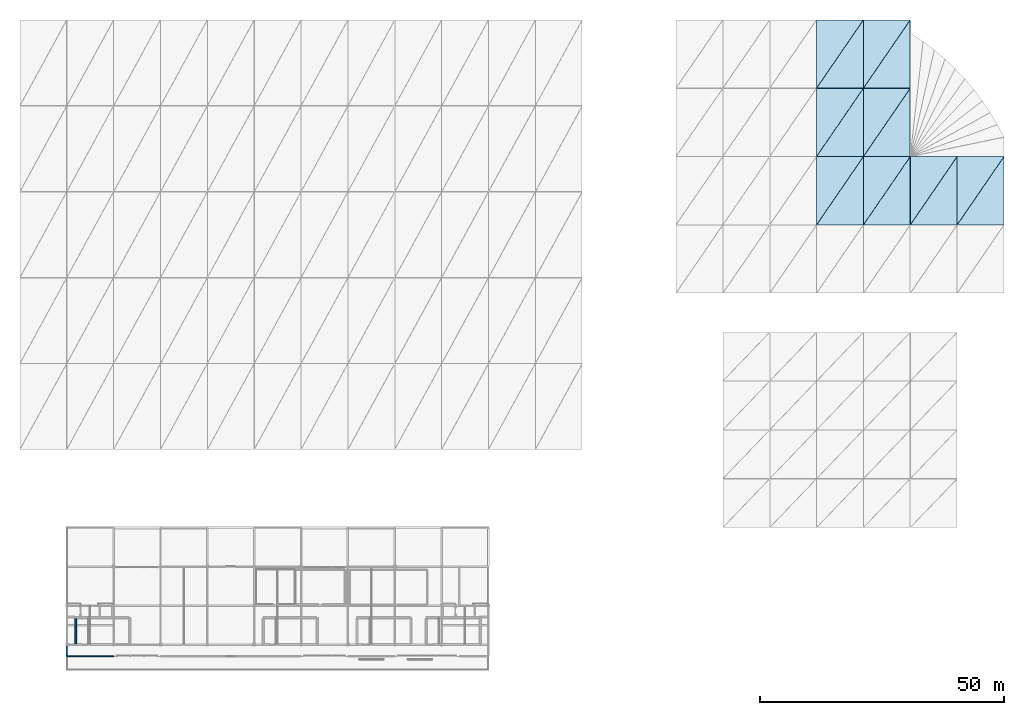
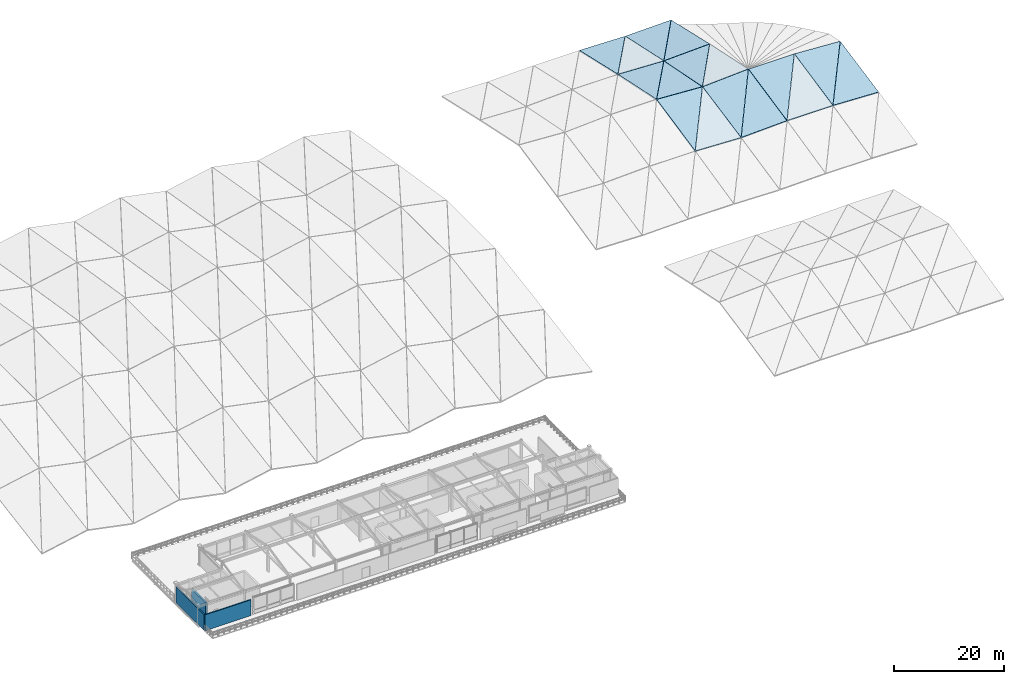
# One storey, part 19 of 26: 16 slabs, 3 walls.
"""IFC4 building model written with IfcOpenShell, lengths in metres."""

from ifc_helpers import new_model, si_unit, direction, frame, frame_2d, origin, place, context, subcontext, project, spatial, polyline, rectangle, outline, extrude, material, layer, layer_set, type_object, element, save


model = new_model("IFC4")

# Units and contexts
model_context = context("Model", 3, precision=1e-05, world=origin(), true_north=direction((0.0, 1.0)))
body_context = subcontext(model_context, "Body", "Model", "MODEL_VIEW")
ifc_project = project(units=[si_unit("LENGTHUNIT", "METRE"), si_unit("AREAUNIT", "SQUARE_METRE"), si_unit("VOLUMEUNIT", "CUBIC_METRE"), si_unit("PLANEANGLEUNIT", "RADIAN"), si_unit("MASSUNIT", "GRAM", prefix="KILO")], contexts=[model_context])

# Site, building, storey
site_placement = place(None, origin())
site = spatial("IfcSite", under=ifc_project, at=site_placement, CompositionType="ELEMENT")
building_placement = place(site_placement, origin())
building = spatial("IfcBuilding", under=site, at=building_placement, Name="Danafjord Basin Convention Centre", CompositionType="ELEMENT")
storey_placement = place(building_placement, frame((0.0, 0.0, 29.39990234375)))
storey = spatial("IfcBuildingStorey", under=building, at=storey_placement, Name="RF", CompositionType="ELEMENT", Elevation=29.39990234375)

# Slabs
ifc_material_1 = material(Name="Concrete C35/45", Category="concrete")
ifc_layer_1 = layer(ifc_material_1, 0.27490234375)
ifc_layer_set_1 = layer_set([ifc_layer_1], Name="Concrete C35/45")
slab_type_1 = type_object("IfcSlabType", Name="SLAB-RF-W145", PredefinedType="ROOF", material=ifc_layer_set_1)
slab_1_placement = place(storey_placement, frame((163.23193359375, 116.023193359375, 1.55615234375), z_axis=(0.057386865014, 0.194710346981, 0.979180590342), x_axis=(0.998287019617, 0.0, -0.058506636063)))
element("IfcSlab", 1, at=slab_1_placement, inside=storey, type_object=slab_type_1, Name="V2 wave-crested roof deck facet A 4-3", PredefinedType="ROOF", context=body_context, shape_type="SweptSolid", body=[
    extrude(outline(polyline([(0.0, 0.0), (9.568392421636535, 0.0), (9.730456946240038, 14.20199072629945), (0.0, 0.0)])), origin(), (0.0, 0.0, -1.0), 0.27490234375),
])
slab_2_placement = place(storey_placement, frame((163.216064453125, 116.046630859375, 1.552001953125), z_axis=(0.040082087708, 0.206202431982, 0.977688080775), x_axis=(0.554845883553, 0.809160291982, -0.193405448176)))
element("IfcSlab", 2, at=slab_2_placement, inside=storey, type_object=slab_type_1, Name="V2 wave-crested roof deck facet B 4-3", PredefinedType="ROOF", context=body_context, shape_type="SweptSolid", body=[
    extrude(outline(polyline([(0.0, 0.0), (17.21559488186891, -8.326672684688674e-16), (11.839968042783239, 7.905487283093815), (0.0, 0.0)])), origin(), (0.0, 0.0, -1.0), 0.27490234375),
])
slab_3_placement = place(storey_placement, frame((172.83203125, 102.023193359375, -1.777587890625), z_axis=(-0.040082087708, -0.206202431982, 0.977688080775), x_axis=(0.999160688834, 0.0, 0.040962396036)))
element("IfcSlab", 3, at=slab_3_placement, inside=storey, type_object=slab_type_1, Name="V2 wave-crested roof deck facet A 5-2", PredefinedType="ROOF", context=body_context, shape_type="SweptSolid", body=[
    extrude(outline(polyline([(0.0, 0.0), (9.560025789518367, -1.3877787807814457e-17), (9.680372829042636, 14.236119170172895), (0.0, 0.0)])), origin(), (0.0, 0.0, -1.0), 0.27490234375),
])
slab_4_placement = place(storey_placement, frame((172.81591796875, 102.046630859375, -1.773681640625), z_axis=(-0.057386865014, -0.194710346981, 0.979180590342), x_axis=(0.554844361698, 0.809158072582, 0.193419099021)))
element("IfcSlab", 4, at=slab_4_placement, inside=storey, type_object=slab_type_1, Name="V2 wave-crested roof deck facet B 5-2", PredefinedType="ROOF", context=body_context, shape_type="SweptSolid", body=[
    extrude(outline(polyline([(0.0, 0.0), (17.21564210166227, -7.216449660063518e-16), (11.807488867896224, 7.893415745704598), (0.0, 0.0)])), origin(), (0.0, 0.0, -1.0), 0.27490234375),
])
slab_5_placement = place(storey_placement, frame((172.83203125, 130.023193359375, -1.787841796875), z_axis=(-0.03994372084, 0.22162726763, 0.974313016134), x_axis=(0.999160688834, 0.0, 0.040962396036)))
element("IfcSlab", 5, at=slab_5_placement, inside=storey, type_object=slab_type_1, Name="V2 wave-crested roof deck facet A 5-4", PredefinedType="ROOF", context=body_context, shape_type="SweptSolid", body=[
    extrude(outline(polyline([(0.0, 0.0), (9.560025789518367, 0.0), (9.430228197197819, 14.285433735039122), (0.0, 0.0)])), origin(), (0.0, 0.0, -1.0), 0.27490234375),
])
slab_6_placement = place(storey_placement, frame((172.81591796875, 130.046630859375, -1.793701171875), z_axis=(-0.022906125536, 0.210526769045, 0.977319696378), x_axis=(0.558032517497, 0.813807524175, -0.162225223106)))
element("IfcSlab", 6, at=slab_6_placement, inside=storey, type_object=slab_type_1, Name="V2 wave-crested roof deck facet B 5-4", PredefinedType="ROOF", context=body_context, shape_type="SweptSolid", body=[
    extrude(outline(polyline([(0.0, 0.0), (17.11728555885409, 3.3306690738754696e-16), (11.823276350482963, 7.953887647202851), (0.0, 0.0)])), origin(), (0.0, 0.0, -1.0), 0.27490234375),
])
slab_7_placement = place(storey_placement, frame((192.031982421875, 102.023193359375, -1.38671875), z_axis=(0.040202081922, -0.194874086591, 0.980004021923), x_axis=(0.999159643304, 0.0, -0.040987890799)))
element("IfcSlab", 7, at=slab_7_placement, inside=storey, type_object=slab_type_1, Name="V2 wave-crested roof deck facet A 7-2", PredefinedType="ROOF", context=body_context, shape_type="SweptSolid", body=[
    extrude(outline(polyline([(0.0, 0.0), (9.56003579321549, 0.0), (9.446498535158055, 14.202461575060266), (0.0, 0.0)])), origin(), (0.0, 0.0, -1.0), 0.27490234375),
])
slab_8_placement = place(storey_placement, frame((192.01611328125, 102.046630859375, -1.381103515625), z_axis=(0.057226734088, -0.206013685175, 0.976874332976), x_axis=(0.559999992363, 0.816676793974, 0.139423895862)))
element("IfcSlab", 8, at=slab_8_placement, inside=storey, type_object=slab_type_1, Name="V2 wave-crested roof deck facet B 7-2", PredefinedType="ROOF", context=body_context, shape_type="SweptSolid", body=[
    extrude(outline(polyline([(0.0, 0.0), (17.057146577484954, -4.996003610813204e-16), (11.78604302966179, 7.985569963080986), (0.0, 0.0)])), origin(), (0.0, 0.0, -1.0), 0.27490234375),
])
ifc_layer_2 = layer(ifc_material_1, 0.264892578125)
ifc_layer_set_2 = layer_set([ifc_layer_2], Name="Concrete C35/45")
slab_type_2 = type_object("IfcSlabType", Name="SLAB-RF-W160", PredefinedType="ROOF", material=ifc_layer_set_2)
slab_9_placement = place(storey_placement, frame((163.23193359375, 102.023193359375, -1.386962890625), z_axis=(0.040177074341, -0.194874282765, 0.980005008464), x_axis=(0.999160688834, 0.0, -0.040962396036)))
element("IfcSlab", 9, at=slab_9_placement, inside=storey, type_object=slab_type_2, Name="V2 wave-crested roof deck facet A 4-2", PredefinedType="ROOF", context=body_context, shape_type="SweptSolid", body=[
    extrude(outline(polyline([(0.0, 0.0), (9.560025789518367, 1.3877787807814457e-17), (9.44655915245319, 14.202462139442714), (0.0, 0.0)])), origin(), (0.0, 0.0, -1.0), 0.264892578125),
])
slab_10_placement = place(storey_placement, frame((163.216064453125, 102.046630859375, -1.38134765625), z_axis=(0.057226532236, -0.206030079181, 0.976870887314), x_axis=(0.55999887478, 0.816675164145, 0.139437930686)))
element("IfcSlab", 10, at=slab_10_placement, inside=storey, type_object=slab_type_2, Name="V2 wave-crested roof deck facet B 4-2", PredefinedType="ROOF", context=body_context, shape_type="SweptSolid", body=[
    extrude(outline(polyline([(0.0, 0.0), (17.057180618235265, 1.27675647831893e-15), (11.78609559904076, 7.985582193400705), (0.0, 0.0)])), origin(), (0.0, 0.0, -1.0), 0.264892578125),
])
slab_11_placement = place(storey_placement, frame((163.23193359375, 130.023193359375, -1.396484375), z_axis=(0.040070134521, 0.210429256711, 0.976787547136), x_axis=(0.999159643304, 0.0, -0.040987890799)))
element("IfcSlab", 11, at=slab_11_placement, inside=storey, type_object=slab_type_2, Name="V2 wave-crested roof deck facet A 4-4", PredefinedType="ROOF", context=body_context, shape_type="SweptSolid", body=[
    extrude(outline(polyline([(0.0, 0.0), (9.56003579321549, 0.0), (9.68303949284902, 14.249229021777806), (0.0, 0.0)])), origin(), (0.0, 0.0, -1.0), 0.264892578125),
])
slab_12_placement = place(storey_placement, frame((163.216064453125, 130.046630859375, -1.401123046875), z_axis=(0.022822939449, 0.22176275216, 0.974833521782), x_axis=(0.554449968161, 0.8085829082, -0.196923623197)))
element("IfcSlab", 12, at=slab_12_placement, inside=storey, type_object=slab_type_2, Name="V2 wave-crested roof deck facet B 4-4", PredefinedType="ROOF", context=body_context, shape_type="SweptSolid", body=[
    extrude(outline(polyline([(0.0, 0.0), (17.227888000078725, 6.106226635438361e-16), (11.887742237591576, 7.922978996736079), (0.0, 0.0)])), origin(), (0.0, 0.0, -1.0), 0.264892578125),
])
slab_13_placement = place(storey_placement, frame((172.83203125, 116.023193359375, 0.9970703125), z_axis=(-0.057226532236, 0.206030079181, 0.976870887314), x_axis=(0.998288509554, 0.0, 0.058481208023)))
element("IfcSlab", 13, at=slab_13_placement, inside=storey, type_object=slab_type_2, Name="V2 wave-crested roof deck facet A 5-3", PredefinedType="ROOF", context=body_context, shape_type="SweptSolid", body=[
    extrude(outline(polyline([(0.0, 0.0), (9.568378140893847, -2.7755575615628914e-17), (9.396561037049032, 14.23559100705386), (0.0, 0.0)])), origin(), (0.0, 0.0, -1.0), 0.264892578125),
])
slab_14_placement = place(storey_placement, frame((172.81591796875, 116.046630859375, 0.991455078125), z_axis=(-0.040177074341, 0.194874282765, 0.980005008464), x_axis=(0.55999887478, 0.816675164145, -0.139437930686)))
element("IfcSlab", 14, at=slab_14_placement, inside=storey, type_object=slab_type_2, Name="V2 wave-crested roof deck facet B 5-3", PredefinedType="ROOF", context=body_context, shape_type="SweptSolid", body=[
    extrude(outline(polyline([(0.0, 0.0), (17.057180618235265, 3.885780586188048e-16), (11.762674384120787, 7.9600437708079985), (0.0, 0.0)])), origin(), (0.0, 0.0, -1.0), 0.264892578125),
])
slab_15_placement = place(storey_placement, frame((182.431884765625, 102.023193359375, -1.38525390625), z_axis=(0.0, -0.206368271542, 0.978474392358), x_axis=(1.0, 0.0, 0.0)))
element("IfcSlab", 15, at=slab_15_placement, inside=storey, type_object=slab_type_2, Name="V2 wave-crested roof deck facet A 6-2", PredefinedType="ROOF", context=body_context, shape_type="SweptSolid", body=[
    extrude(outline(polyline([(0.0, 0.0), (9.552001953125, 0.0), (9.552001953125, 14.236627846413853), (0.0, 0.0)])), origin(), (0.0, 0.0, -1.0), 0.264892578125),
])
slab_16_placement = place(storey_placement, frame((182.416015625, 102.046630859375, -1.38037109375), z_axis=(0.0, -0.206368271542, 0.978474392358), x_axis=(0.557157683082, 0.812531708148, 0.171369598932)))
element("IfcSlab", 16, at=slab_16_placement, inside=storey, type_object=slab_type_2, Name="V2 wave-crested roof deck facet B 6-2", PredefinedType="ROOF", context=body_context, shape_type="SweptSolid", body=[
    extrude(outline(polyline([(0.0, 0.0), (17.14416267275221, 2.1649348980190553e-15), (11.822191395757985, 7.932046585803205), (0.0, 0.0)])), origin(), (0.0, 0.0, -1.0), 0.264892578125),
])

# Walls
ifc_material_2 = material(Name="Concrete C45/55", Category="concrete")
ifc_layer_3 = layer(ifc_material_2, 0.35009765625)
ifc_layer_set_3 = layer_set([ifc_layer_3], Name="Concrete C45/55")
wall_type_1 = type_object("IfcWallType", Name="WALL-CW-CORE350", PredefinedType="SHEAR", material=ifc_layer_set_3)
wall_1_placement = place(storey_placement, frame((11.449951171875, 21.35009765625, 0.0), z_axis=(0.0, 0.0, 1.0), x_axis=(0.0, -1.0, 0.0)))
element("IfcWall", 17, at=wall_1_placement, inside=storey, type_object=wall_type_1, Name="West Harbour Core Stair 1 core shear wall (west)", PredefinedType="SHEAR", context=body_context, shape_type="SweptSolid", body=[
    extrude(rectangle(XDim=5.14013671875, YDim=0.35009765625, at=frame_2d((2.570068359375, 0.0))), origin(), (0.0, 0.0, 1.0), 3.900146484375),
])
ifc_layer_4 = layer(ifc_material_1, 0.22998046875)
ifc_layer_set_4 = layer_set([ifc_layer_4], Name="Concrete C35/45")
wall_type_2 = type_object("IfcWallType", Name="WALL-EW-STD230", PredefinedType="STANDARD", material=ifc_layer_set_4)
wall_2_placement = place(storey_placement, frame((9.60009765625, 13.60009765625, 0.0), z_axis=(0.0, 0.0, 1.0), x_axis=(1.0, 0.0, 0.0)))
element("IfcWall", 18, at=wall_2_placement, inside=storey, type_object=wall_type_2, Name="Observatory pavilion south facade wall", PredefinedType="STANDARD", context=body_context, shape_type="SweptSolid", body=[
    extrude(rectangle(XDim=9.599853515625, YDim=0.22998046875, at=frame_2d((4.7998046875, 0.0))), origin(), (0.0, 0.0, 1.0), 3.510009765625),
])
wall_3_placement = place(storey_placement, frame((9.60009765625, 13.718994140625, 0.0), z_axis=(0.0, 0.0, 1.0), x_axis=(0.0, 1.0, 0.0)))
element("IfcWall", 19, at=wall_3_placement, inside=storey, type_object=wall_type_2, Name="Observatory pavilion end wall", PredefinedType="STANDARD", context=body_context, shape_type="SweptSolid", body=[
    extrude(rectangle(XDim=10.162109375, YDim=0.22998046875, at=frame_2d((5.0810546875, 0.0))), origin(), (0.0, 0.0, 1.0), 3.510009765625),
])

save(model, "model.ifc")
